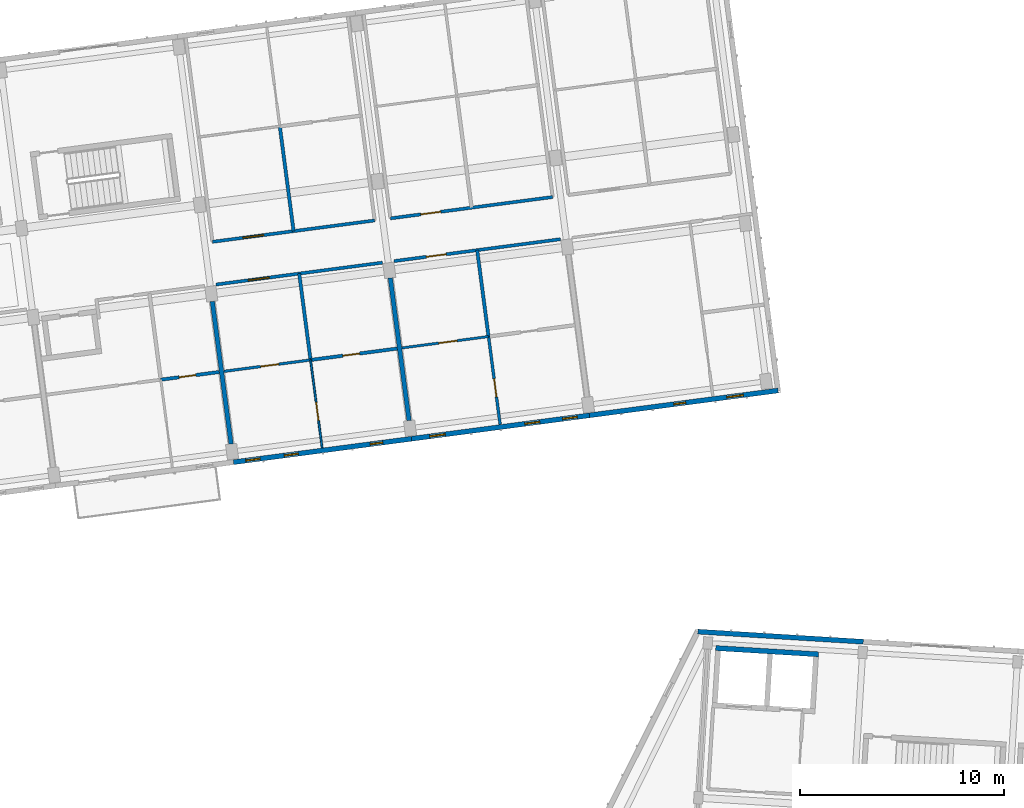
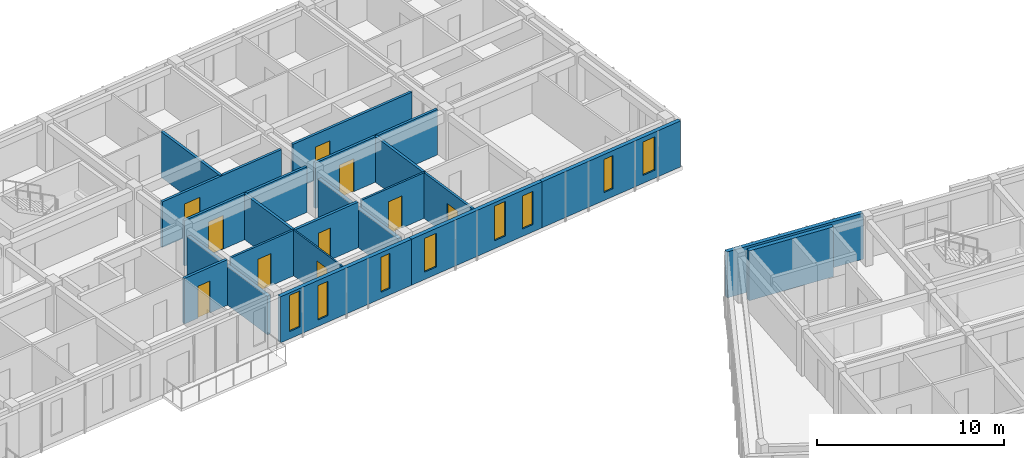
# One storey, part 22 of 65: 20 walls, 10 doors, 8 windows, 18 openings.
"""IFC4 building model written with IfcOpenShell, lengths in metres."""

from ifc_helpers import new_model, si_unit, direction, frame, frame_2d, origin, place, context, subcontext, project, spatial, rectangle, extrude, material, layer, layer_set, type_object, element, fill, save


model = new_model("IFC4")

# Units and contexts
model_context = context("Model", 3, precision=1e-05, world=origin(), true_north=direction((0.0, 1.0)))
body_context = subcontext(model_context, "Body", "Model", "MODEL_VIEW")
ifc_project = project(units=[si_unit("LENGTHUNIT", "METRE"), si_unit("AREAUNIT", "SQUARE_METRE"), si_unit("VOLUMEUNIT", "CUBIC_METRE"), si_unit("PLANEANGLEUNIT", "RADIAN"), si_unit("MASSUNIT", "GRAM", prefix="KILO")], contexts=[model_context])

# Site, building, storey
site_placement = place(None, origin())
site = spatial("IfcSite", under=ifc_project, at=site_placement, CompositionType="ELEMENT")
building_placement = place(site_placement, origin())
building = spatial("IfcBuilding", under=site, at=building_placement, Name="Kestramere Prow Commons", CompositionType="ELEMENT")
storey_placement = place(building_placement, frame((0.0, 0.0, 21.39990234375)))
storey = spatial("IfcBuildingStorey", under=building, at=storey_placement, Name="L06", CompositionType="ELEMENT", Elevation=21.39990234375)

# Wall, openings, windows
ifc_material_1 = material(Name="Fluoropolymer Standing-Seam Zinc-Aluminium Cladding", Category="aluminium")
ifc_layer_1 = layer(ifc_material_1, 0.239990234375)
ifc_layer_set_1 = layer_set([ifc_layer_1], Name="Fluoropolymer Standing-Seam Zinc-Aluminium Cladding")
wall_type_1 = type_object("IfcWallType", Name="EW-SEAM-240", PredefinedType="SOLIDWALL", material=ifc_layer_set_1)
wall_1_placement = place(storey_placement, frame((46.16748046875, 76.073974609375, 0.0), z_axis=(0.0, 0.0, 1.0), x_axis=(-0.991444377792, -0.130529865336, 0.0)))
wall_1 = element("IfcWall", 1, at=wall_1_placement, inside=storey, type_object=wall_type_1, Name="Block A L06 South Standing-Seam Wall 4", PredefinedType="SOLIDWALL", context=body_context, shape_type="SweptSolid", body=[
    extrude(rectangle(XDim=8.800048828125, YDim=0.239990234375, at=frame_2d((4.39990234375, 0.0))), origin(), (0.0, 0.0, 1.0), 3.0),
])
opening_1_placement = place(wall_1_placement, frame((1.426025390625, 0.0, 0.419921875)))
opening_1 = element("IfcOpeningElement", 2, at=opening_1_placement, cuts=wall_1, Name="Opening WN-03", PredefinedType="OPENING", context=body_context, shape_type="SweptSolid", body=[
    extrude(rectangle(XDim=0.6201171875, YDim=2.280029296875, at=frame_2d((0.31005859375, 1.14013671875))), frame((0.0, 0.135009765625, 0.0), z_axis=(0.0, -1.0, 0.0), x_axis=(1.0, 0.0, 0.0)), (0.0, 0.0, 1.0), 0.27001953125),
])
opening_2_placement = place(wall_1_placement, frame((5.60400390625, 0.0, 0.419921875)))
opening_2 = element("IfcOpeningElement", 3, at=opening_2_placement, cuts=wall_1, Name="Opening WN-06", PredefinedType="OPENING", context=body_context, shape_type="SweptSolid", body=[
    extrude(rectangle(XDim=0.679931640625, YDim=2.239990234375, at=frame_2d((0.33984375, 1.1201171875))), frame((0.0, 0.135009765625, 0.0), z_axis=(0.0, -1.0, 0.0), x_axis=(1.0, 0.0, 0.0)), (0.0, 0.0, 1.0), 0.27001953125),
])
opening_3_placement = place(wall_1_placement, frame((7.489990234375, 0.0, 0.47998046875)))
opening_3 = element("IfcOpeningElement", 4, at=opening_3_placement, cuts=wall_1, Name="Opening WN-07", PredefinedType="OPENING", context=body_context, shape_type="SweptSolid", body=[
    extrude(rectangle(XDim=0.699951171875, YDim=2.360107421875, at=frame_2d((0.35009765625, 1.18017578125))), frame((0.0, 0.135009765625, 0.0), z_axis=(0.0, -1.0, 0.0), x_axis=(1.0, 0.0, 0.0)), (0.0, 0.0, 1.0), 0.27001953125),
])
ifc_material_2 = material(Name="Low-E Laminated Double Glazing", Category="glass")
window_type_1 = type_object("IfcWindowType", Name="WN-NAR-620A", PartitioningType="SINGLE_PANEL", PredefinedType="WINDOW", material=ifc_material_2)
window_1_placement = place(opening_1_placement, origin())
window_1 = element("IfcWindow", 5, at=window_1_placement, inside=storey, type_object=window_type_1, Name="WN-A-L06-S-3-00", OverallHeight=2.280029296875, OverallWidth=0.6201171875, PartitioningType="SINGLE_PANEL", PredefinedType="WINDOW", context=body_context, shape_type="SweptSolid", body=[
    extrude(rectangle(XDim=0.6201171875, YDim=2.280029296875, at=frame_2d((0.31005859375, 1.14013671875))), frame((0.0, 0.030029296875, 0.0), z_axis=(0.0, -1.0, 0.0), x_axis=(1.0, 0.0, 0.0)), (0.0, 0.0, 1.0), 0.06005859375),
])
fill(opening_1, window_1)
window_type_2 = type_object("IfcWindowType", Name="WN-NAR-680A", PartitioningType="SINGLE_PANEL", PredefinedType="WINDOW", material=ifc_material_2)
window_2_placement = place(opening_2_placement, origin())
window_2 = element("IfcWindow", 6, at=window_2_placement, inside=storey, type_object=window_type_2, Name="WN-A-L06-S-3-10", OverallHeight=2.239990234375, OverallWidth=0.679931640625, PartitioningType="SINGLE_PANEL", PredefinedType="WINDOW", context=body_context, shape_type="SweptSolid", body=[
    extrude(rectangle(XDim=0.679931640625, YDim=2.239990234375, at=frame_2d((0.33984375, 1.1201171875))), frame((0.0, 0.030029296875, 0.0), z_axis=(0.0, -1.0, 0.0), x_axis=(1.0, 0.0, 0.0)), (0.0, 0.0, 1.0), 0.06005859375),
])
fill(opening_2, window_2)
window_type_3 = type_object("IfcWindowType", Name="WN-NAR-700A", PartitioningType="SINGLE_PANEL", PredefinedType="WINDOW", material=ifc_material_2)
window_3_placement = place(opening_3_placement, origin())
window_3 = element("IfcWindow", 7, at=window_3_placement, inside=storey, type_object=window_type_3, Name="WN-A-L06-S-3-11", OverallHeight=2.360107421875, OverallWidth=0.699951171875, PartitioningType="SINGLE_PANEL", PredefinedType="WINDOW", context=body_context, shape_type="SweptSolid", body=[
    extrude(rectangle(XDim=0.699951171875, YDim=2.360107421875, at=frame_2d((0.35009765625, 1.18017578125))), frame((0.0, 0.030029296875, 0.0), z_axis=(0.0, -1.0, 0.0), x_axis=(1.0, 0.0, 0.0)), (0.0, 0.0, 1.0), 0.06005859375),
])
fill(opening_3, window_3)

wall_2_placement = place(storey_placement, frame((54.89208984375, 77.22265625, 0.0), z_axis=(0.0, 0.0, 1.0), x_axis=(-0.991443905089, -0.130533455715, 0.0)))
wall_2 = element("IfcWall", 8, at=wall_2_placement, inside=storey, type_object=wall_type_1, Name="Block A L06 South Standing-Seam Wall 5", PredefinedType="SOLIDWALL", context=body_context, shape_type="SweptSolid", body=[
    extrude(rectangle(XDim=8.7998046875, YDim=0.239990234375, at=frame_2d((4.39990234375, 0.0))), origin(), (0.0, 0.0, 1.0), 3.0),
])
opening_4_placement = place(wall_2_placement, frame((0.610107421875, 0.0, 0.47998046875)))
opening_4 = element("IfcOpeningElement", 9, at=opening_4_placement, cuts=wall_2, Name="Opening WN-08", PredefinedType="OPENING", context=body_context, shape_type="SweptSolid", body=[
    extrude(rectangle(XDim=0.719970703125, YDim=2.159912109375, at=frame_2d((0.35986328125, 1.080078125))), frame((0.0, 0.135009765625, 0.0), z_axis=(0.0, -1.0, 0.0), x_axis=(1.0, 0.0, 0.0)), (0.0, 0.0, 1.0), 0.27001953125),
])
opening_5_placement = place(wall_2_placement, frame((2.4560546875, 0.0, 0.52001953125)))
opening_5 = element("IfcOpeningElement", 10, at=opening_5_placement, cuts=wall_2, Name="Opening WN-09", PredefinedType="OPENING", context=body_context, shape_type="SweptSolid", body=[
    extrude(rectangle(XDim=0.739990234375, YDim=2.260009765625, at=frame_2d((0.3701171875, 1.1298828125))), frame((0.0, 0.135009765625, 0.0), z_axis=(0.0, -1.0, 0.0), x_axis=(1.0, 0.0, 0.0)), (0.0, 0.0, 1.0), 0.27001953125),
])
opening_6_placement = place(wall_2_placement, frame((7.123291015625, 0.0, 0.47998046875)))
opening_6 = element("IfcOpeningElement", 11, at=opening_6_placement, cuts=wall_2, Name="Opening WN-11", PredefinedType="OPENING", context=body_context, shape_type="SweptSolid", body=[
    extrude(rectangle(XDim=0.780029296875, YDim=2.199951171875, at=frame_2d((0.39013671875, 1.10009765625))), frame((0.0, 0.135009765625, 0.0), z_axis=(0.0, -1.0, 0.0), x_axis=(1.0, 0.0, 0.0)), (0.0, 0.0, 1.0), 0.27001953125),
])
window_type_4 = type_object("IfcWindowType", Name="WN-NAR-720A", PartitioningType="SINGLE_PANEL", PredefinedType="WINDOW", material=ifc_material_2)
window_4_placement = place(opening_4_placement, origin())
window_4 = element("IfcWindow", 12, at=window_4_placement, inside=storey, type_object=window_type_4, Name="WN-A-L06-S-4-00", OverallHeight=2.159912109375, OverallWidth=0.719970703125, PartitioningType="SINGLE_PANEL", PredefinedType="WINDOW", context=body_context, shape_type="SweptSolid", body=[
    extrude(rectangle(XDim=0.719970703125, YDim=2.159912109375, at=frame_2d((0.35986328125, 1.080078125))), frame((0.0, 0.030029296875, 0.0), z_axis=(0.0, -1.0, 0.0), x_axis=(1.0, 0.0, 0.0)), (0.0, 0.0, 1.0), 0.06005859375),
])
fill(opening_4, window_4)
window_type_5 = type_object("IfcWindowType", Name="WN-NAR-740A", PartitioningType="SINGLE_PANEL", PredefinedType="WINDOW", material=ifc_material_2)
window_5_placement = place(opening_5_placement, origin())
window_5 = element("IfcWindow", 13, at=window_5_placement, inside=storey, type_object=window_type_5, Name="WN-A-L06-S-4-01", OverallHeight=2.260009765625, OverallWidth=0.739990234375, PartitioningType="SINGLE_PANEL", PredefinedType="WINDOW", context=body_context, shape_type="SweptSolid", body=[
    extrude(rectangle(XDim=0.739990234375, YDim=2.260009765625, at=frame_2d((0.3701171875, 1.1298828125))), frame((0.0, 0.030029296875, 0.0), z_axis=(0.0, -1.0, 0.0), x_axis=(1.0, 0.0, 0.0)), (0.0, 0.0, 1.0), 0.06005859375),
])
fill(opening_5, window_5)
window_type_6 = type_object("IfcWindowType", Name="WN-NAR-780A", PartitioningType="SINGLE_PANEL", PredefinedType="WINDOW", material=ifc_material_2)
window_6_placement = place(opening_6_placement, origin())
window_6 = element("IfcWindow", 14, at=window_6_placement, inside=storey, type_object=window_type_6, Name="WN-A-L06-S-4-10", OverallHeight=2.199951171875, OverallWidth=0.780029296875, PartitioningType="SINGLE_PANEL", PredefinedType="WINDOW", context=body_context, shape_type="SweptSolid", body=[
    extrude(rectangle(XDim=0.780029296875, YDim=2.199951171875, at=frame_2d((0.39013671875, 1.10009765625))), frame((0.0, 0.030029296875, 0.0), z_axis=(0.0, -1.0, 0.0), x_axis=(1.0, 0.0, 0.0)), (0.0, 0.0, 1.0), 0.06005859375),
])
fill(opening_6, window_6)

wall_3_placement = place(storey_placement, frame((64.13720703125, 78.439697265625, 0.0), z_axis=(0.0, 0.0, 1.0), x_axis=(-0.991446273426, -0.130515466173, 0.0)))
wall_3 = element("IfcWall", 15, at=wall_3_placement, inside=storey, type_object=wall_type_1, Name="Block A L06 South Standing-Seam Wall 6", PredefinedType="SOLIDWALL", context=body_context, shape_type="SweptSolid", body=[
    extrude(rectangle(XDim=9.324951171875, YDim=0.239990234375, at=frame_2d((4.66259765625, 0.0))), origin(), (0.0, 0.0, 1.0), 3.0),
])
opening_7_placement = place(wall_3_placement, frame((1.714599609375, 0.0, 0.52001953125)))
opening_7 = element("IfcOpeningElement", 16, at=opening_7_placement, cuts=wall_3, Name="Opening WN-13", PredefinedType="OPENING", context=body_context, shape_type="SweptSolid", body=[
    extrude(rectangle(XDim=0.820068359375, YDim=2.179931640625, at=frame_2d((0.41015625, 1.08984375))), frame((0.0, 0.135009765625, 0.0), z_axis=(0.0, -1.0, 0.0), x_axis=(1.0, 0.0, 0.0)), (0.0, 0.0, 1.0), 0.27001953125),
])
opening_8_placement = place(wall_3_placement, frame((4.570556640625, 0.0, 0.52001953125)))
opening_8 = element("IfcOpeningElement", 17, at=opening_8_placement, cuts=wall_3, Name="Opening WN-01", PredefinedType="OPENING", context=body_context, shape_type="SweptSolid", body=[
    extrude(rectangle(XDim=0.580078125, YDim=2.159912109375, at=frame_2d((0.2900390625, 1.080078125))), frame((0.0, 0.135009765625, 0.0), z_axis=(0.0, -1.0, 0.0), x_axis=(1.0, 0.0, 0.0)), (0.0, 0.0, 1.0), 0.27001953125),
])
window_type_7 = type_object("IfcWindowType", Name="WN-NAR-580A", PartitioningType="SINGLE_PANEL", PredefinedType="WINDOW", material=ifc_material_2)
window_7_placement = place(opening_8_placement, origin())
window_7 = element("IfcWindow", 18, at=window_7_placement, inside=storey, type_object=window_type_7, Name="WN-A-L06-S-5-10", OverallHeight=2.159912109375, OverallWidth=0.580078125, PartitioningType="SINGLE_PANEL", PredefinedType="WINDOW", context=body_context, shape_type="SweptSolid", body=[
    extrude(rectangle(XDim=0.580078125, YDim=2.159912109375, at=frame_2d((0.2900390625, 1.080078125))), frame((0.0, 0.030029296875, 0.0), z_axis=(0.0, -1.0, 0.0), x_axis=(1.0, 0.0, 0.0)), (0.0, 0.0, 1.0), 0.06005859375),
])
fill(opening_8, window_7)
window_type_8 = type_object("IfcWindowType", Name="WN-NAR-820A", PartitioningType="DOUBLE_PANEL_VERTICAL", PredefinedType="WINDOW", material=ifc_material_2)
window_8_placement = place(opening_7_placement, origin())
window_8 = element("IfcWindow", 19, at=window_8_placement, inside=storey, type_object=window_type_8, Name="WN-A-L06-S-5-00", OverallHeight=2.179931640625, OverallWidth=0.820068359375, PartitioningType="SINGLE_PANEL", PredefinedType="WINDOW", context=body_context, shape_type="SweptSolid", body=[
    extrude(rectangle(XDim=0.820068359375, YDim=2.179931640625, at=frame_2d((0.41015625, 1.08984375))), frame((0.0, 0.030029296875, 0.0), z_axis=(0.0, -1.0, 0.0), x_axis=(1.0, 0.0, 0.0)), (0.0, 0.0, 1.0), 0.06005859375),
])
fill(opening_7, window_8)

# Walls
wall_4_placement = place(storey_placement, frame((60.20458984375, 66.61962890625, 0.0), z_axis=(0.0, 0.0, 1.0), x_axis=(0.998134248939, -0.061057522844, 0.0)))
element("IfcWall", 20, at=wall_4_placement, inside=storey, type_object=wall_type_1, Name="Block C L06 North Standing-Seam Wall 1", PredefinedType="SOLIDWALL", context=body_context, shape_type="SweptSolid", body=[
    extrude(rectangle(XDim=8.125, YDim=0.239990234375, at=frame_2d((4.0625, 0.0))), origin(), (0.0, 0.0, 1.0), 3.0),
])
ifc_material_3 = material(Name="Concrete C40/50", Category="concrete")
ifc_layer_2 = layer(ifc_material_3, 0.25)
ifc_layer_set_2 = layer_set([ifc_layer_2], Name="Concrete C40/50")
wall_type_2 = type_object("IfcWallType", Name="W-CORE-250", PredefinedType="SHEAR", material=ifc_layer_set_2)
wall_5_placement = place(storey_placement, frame((61.08203125, 65.814453125, 0.0), z_axis=(0.0, 0.0, 1.0), x_axis=(0.998134101522, -0.061059932685, 0.0)))
element("IfcWall", 21, at=wall_5_placement, inside=storey, type_object=wall_type_2, Name="Block C L06 Lift Core Back Wall", PredefinedType="SHEAR", context=body_context, shape_type="SweptSolid", body=[
    extrude(rectangle(XDim=5.050048828125, YDim=0.25, at=frame_2d((2.52490234375, 0.0))), origin(), (0.0, 0.0, 1.0), 3.25),
])

# Wall, opening, door
ifc_material_4 = material(Name="Fire-Rated Calcium Silicate Wall")
ifc_layer_3 = layer(ifc_material_4, 0.155029296875)
ifc_layer_set_3 = layer_set([ifc_layer_3], Name="Fire-Rated Calcium Silicate Wall")
wall_type_3 = type_object("IfcWallType", Name="W-FIRE-150", PredefinedType="PARTITIONING", material=ifc_layer_set_3)
wall_6_placement = place(storey_placement, frame((36.583740234375, 83.6328125, 0.0), z_axis=(0.0, 0.0, 1.0), x_axis=(0.991445206002, 0.130523574484, 0.0)))
wall_6 = element("IfcWall", 22, at=wall_6_placement, inside=storey, type_object=wall_type_3, Name="Interior Partition PW-A-L06-CS-3", PredefinedType="PARTITIONING", context=body_context, shape_type="SweptSolid", body=[
    extrude(rectangle(XDim=8.22998046875, YDim=0.155029296875, at=frame_2d((4.114990234375, 0.0))), origin(), (0.0, 0.0, 1.0), 2.97021484375),
])
opening_9_placement = place(wall_6_placement, frame((1.60498046875, 0.0, 0.0)))
opening_9 = element("IfcOpeningElement", 23, at=opening_9_placement, cuts=wall_6, Name="Opening ID-05", PredefinedType="OPENING", context=body_context, shape_type="SweptSolid", body=[
    extrude(rectangle(XDim=1.02001953125, YDim=2.199951171875, at=frame_2d((0.510009765625, 1.10009765625))), frame((0.0, 0.092529296875, 0.0), z_axis=(0.0, -1.0, 0.0), x_axis=(1.0, 0.0, 0.0)), (0.0, 0.0, 1.0), 0.18505859375),
])
ifc_material_5 = material(Name="Hardwood Fire-Rated Flat Entrance Door", Category="wood")
door_type_1 = type_object("IfcDoorType", Name="FD-ENT-02", OperationType="NOTDEFINED", PredefinedType="DOOR", material=ifc_material_5)
door_1_placement = place(opening_9_placement, origin())
door_1 = element("IfcDoor", 24, at=door_1_placement, inside=storey, type_object=door_type_1, Name="Interior Door DR-A-L06-ENT-S3", OperationType="SINGLE_SWING_RIGHT", OverallHeight=2.199951171875, OverallWidth=1.02001953125, PredefinedType="DOOR", context=body_context, shape_type="SweptSolid", body=[
    extrude(rectangle(XDim=1.02001953125, YDim=2.199951171875, at=frame_2d((0.510009765625, 1.10009765625))), frame((0.0, 0.02490234375, 0.0), z_axis=(0.0, -1.0, 0.0), x_axis=(1.0, 0.0, 0.0)), (0.0, 0.0, 1.0), 0.050048828125),
])
fill(opening_9, door_1)

wall_7_placement = place(storey_placement, frame((45.30859375, 84.781494140625, 0.0), z_axis=(0.0, 0.0, 1.0), x_axis=(0.991444700604, 0.130527413383, 0.0)))
wall_7 = element("IfcWall", 25, at=wall_7_placement, inside=storey, type_object=wall_type_3, Name="Interior Partition PW-A-L06-CS-4", PredefinedType="PARTITIONING", context=body_context, shape_type="SweptSolid", body=[
    extrude(rectangle(XDim=8.229736328125, YDim=0.155029296875, at=frame_2d((4.11474609375, 0.0))), origin(), (0.0, 0.0, 1.0), 2.97021484375),
])
opening_10_placement = place(wall_7_placement, frame((1.60498046875, 0.0, 0.0)))
opening_10 = element("IfcOpeningElement", 26, at=opening_10_placement, cuts=wall_7, Name="Opening ID-04", PredefinedType="OPENING", context=body_context, shape_type="SweptSolid", body=[
    extrude(rectangle(XDim=0.97998046875, YDim=2.14990234375, at=frame_2d((0.489990234375, 1.074951171875))), frame((0.0, 0.092529296875, 0.0), z_axis=(0.0, -1.0, 0.0), x_axis=(1.0, 0.0, 0.0)), (0.0, 0.0, 1.0), 0.18505859375),
])
door_type_2 = type_object("IfcDoorType", Name="FD-ENT-01", OperationType="NOTDEFINED", PredefinedType="DOOR", material=ifc_material_5)
door_2_placement = place(opening_10_placement, origin())
door_2 = element("IfcDoor", 27, at=door_2_placement, inside=storey, type_object=door_type_2, Name="Interior Door DR-A-L06-ENT-S4", OperationType="SINGLE_SWING_LEFT", OverallHeight=2.14990234375, OverallWidth=0.97998046875, PredefinedType="DOOR", context=body_context, shape_type="SweptSolid", body=[
    extrude(rectangle(XDim=0.97998046875, YDim=2.14990234375, at=frame_2d((0.489990234375, 1.074951171875))), frame((0.0, 0.02490234375, 0.0), z_axis=(0.0, -1.0, 0.0), x_axis=(1.0, 0.0, 0.0)), (0.0, 0.0, 1.0), 0.050048828125),
])
fill(opening_10, door_2)

wall_8_placement = place(storey_placement, frame((36.413818359375, 85.728515625, 0.0), z_axis=(0.0, 0.0, 1.0), x_axis=(0.991444034844, 0.130532470184, 0.0)))
wall_8 = element("IfcWall", 28, at=wall_8_placement, inside=storey, type_object=wall_type_3, Name="Interior Partition PW-A-L06-CN-3", PredefinedType="PARTITIONING", context=body_context, shape_type="SweptSolid", body=[
    extrude(rectangle(XDim=8.02001953125, YDim=0.155029296875, at=frame_2d((4.010009765625, 0.0))), origin(), (0.0, 0.0, 1.0), 2.97021484375),
])
opening_11_placement = place(wall_8_placement, frame((1.5048828125, 0.0, 0.0)))
opening_11 = element("IfcOpeningElement", 29, at=opening_11_placement, cuts=wall_8, Name="Opening ID-05", PredefinedType="OPENING", context=body_context, shape_type="SweptSolid", body=[
    extrude(rectangle(XDim=1.02001953125, YDim=2.199951171875, at=frame_2d((0.510009765625, 1.10009765625))), frame((0.0, 0.092529296875, 0.0), z_axis=(0.0, -1.0, 0.0), x_axis=(1.0, 0.0, 0.0)), (0.0, 0.0, 1.0), 0.18505859375),
])
door_3_placement = place(opening_11_placement, origin())
door_3 = element("IfcDoor", 30, at=door_3_placement, inside=storey, type_object=door_type_1, Name="Interior Door DR-A-L06-ENT-N3", OperationType="SINGLE_SWING_RIGHT", OverallHeight=2.199951171875, OverallWidth=1.02001953125, PredefinedType="DOOR", context=body_context, shape_type="SweptSolid", body=[
    extrude(rectangle(XDim=1.02001953125, YDim=2.199951171875, at=frame_2d((0.510009765625, 1.10009765625))), frame((0.0, 0.02490234375, 0.0), z_axis=(0.0, -1.0, 0.0), x_axis=(1.0, 0.0, 0.0)), (0.0, 0.0, 1.0), 0.050048828125),
])
fill(opening_11, door_3)

wall_9_placement = place(storey_placement, frame((45.138427734375, 86.877197265625, 0.0), z_axis=(0.0, 0.0, 1.0), x_axis=(0.991444034844, 0.130532470184, 0.0)))
wall_9 = element("IfcWall", 31, at=wall_9_placement, inside=storey, type_object=wall_type_3, Name="Interior Partition PW-A-L06-CN-4", PredefinedType="PARTITIONING", context=body_context, shape_type="SweptSolid", body=[
    extrude(rectangle(XDim=8.02001953125, YDim=0.155029296875, at=frame_2d((4.010009765625, 0.0))), origin(), (0.0, 0.0, 1.0), 2.97021484375),
])
opening_12_placement = place(wall_9_placement, frame((1.5048828125, 0.0, 0.0)))
opening_12 = element("IfcOpeningElement", 32, at=opening_12_placement, cuts=wall_9, Name="Opening ID-04", PredefinedType="OPENING", context=body_context, shape_type="SweptSolid", body=[
    extrude(rectangle(XDim=0.97998046875, YDim=2.14990234375, at=frame_2d((0.489990234375, 1.074951171875))), frame((0.0, 0.092529296875, 0.0), z_axis=(0.0, -1.0, 0.0), x_axis=(1.0, 0.0, 0.0)), (0.0, 0.0, 1.0), 0.18505859375),
])
door_4_placement = place(opening_12_placement, origin())
door_4 = element("IfcDoor", 33, at=door_4_placement, inside=storey, type_object=door_type_2, Name="Interior Door DR-A-L06-ENT-N4", OperationType="SINGLE_SWING_LEFT", OverallHeight=2.14990234375, OverallWidth=0.97998046875, PredefinedType="DOOR", context=body_context, shape_type="SweptSolid", body=[
    extrude(rectangle(XDim=0.97998046875, YDim=2.14990234375, at=frame_2d((0.489990234375, 1.074951171875))), frame((0.0, 0.02490234375, 0.0), z_axis=(0.0, -1.0, 0.0), x_axis=(1.0, 0.0, 0.0)), (0.0, 0.0, 1.0), 0.050048828125),
])
fill(opening_12, door_4)

ifc_material_6 = material(Name="Lightweight Blockwork and Plaster", Category="masonry")
ifc_layer_4 = layer(ifc_material_6, 0.1201171875)
ifc_layer_set_4 = layer_set([ifc_layer_4], Name="Lightweight Blockwork and Plaster")
wall_type_4 = type_object("IfcWallType", Name="W-PART-120", PredefinedType="PARTITIONING", material=ifc_layer_set_4)
wall_10_placement = place(storey_placement, frame((45.697265625, 80.525634765625, 0.0), z_axis=(0.0, 0.0, 1.0), x_axis=(0.991444014242, 0.130532626667, 0.0)))
wall_10 = element("IfcWall", 34, at=wall_10_placement, inside=storey, type_object=wall_type_4, Name="Interior Partition PW-A-L06-MIDS1-4", PredefinedType="PARTITIONING", context=body_context, shape_type="SweptSolid", body=[
    extrude(rectangle(XDim=4.284912109375, YDim=0.1201171875, at=frame_2d((2.142578125, 0.0))), origin(), (0.0, 0.0, 1.0), 2.97021484375),
])
opening_13_placement = place(wall_10_placement, frame((1.824951171875, 0.0, 0.0)))
opening_13 = element("IfcOpeningElement", 35, at=opening_13_placement, cuts=wall_10, Name="Opening ID-08", PredefinedType="OPENING", context=body_context, shape_type="SweptSolid", body=[
    extrude(rectangle(XDim=0.89990234375, YDim=2.10009765625, at=frame_2d((0.449951171875, 1.050048828125))), frame((0.0, 0.074951171875, 0.0), z_axis=(0.0, -1.0, 0.0), x_axis=(1.0, 0.0, 0.0)), (0.0, 0.0, 1.0), 0.150146484375),
])
ifc_material_7 = material(Name="Engineered Timber Flush Door", Category="wood")
door_type_3 = type_object("IfcDoorType", Name="D-RM-01", OperationType="NOTDEFINED", PredefinedType="DOOR", material=ifc_material_7)
door_5_placement = place(opening_13_placement, origin())
door_5 = element("IfcDoor", 36, at=door_5_placement, inside=storey, type_object=door_type_3, Name="Interior Door DR-A-L06-KL-S4", OperationType="SINGLE_SWING_RIGHT", OverallHeight=2.10009765625, OverallWidth=0.89990234375, PredefinedType="DOOR", context=body_context, shape_type="SweptSolid", body=[
    extrude(rectangle(XDim=0.89990234375, YDim=2.10009765625, at=frame_2d((0.449951171875, 1.050048828125))), frame((0.0, 0.02490234375, 0.0), z_axis=(0.0, -1.0, 0.0), x_axis=(1.0, 0.0, 0.0)), (0.0, 0.0, 1.0), 0.050048828125),
])
fill(opening_13, door_5)

ifc_layer_5 = layer(ifc_material_6, 0.1298828125)
ifc_layer_set_5 = layer_set([ifc_layer_5], Name="Lightweight Blockwork and Plaster")
wall_type_5 = type_object("IfcWallType", Name="W-PART-130", PredefinedType="PARTITIONING", material=ifc_layer_set_5)
wall_11_placement = place(storey_placement, frame((36.97265625, 79.377197265625, 0.0), z_axis=(0.0, 0.0, 1.0), x_axis=(0.991444014242, 0.130532626667, 0.0)))
wall_11 = element("IfcWall", 37, at=wall_11_placement, inside=storey, type_object=wall_type_5, Name="Interior Partition PW-A-L06-MIDS1-3", PredefinedType="PARTITIONING", context=body_context, shape_type="SweptSolid", body=[
    extrude(rectangle(XDim=4.284912109375, YDim=0.1298828125, at=frame_2d((2.142578125, 0.0))), origin(), (0.0, 0.0, 1.0), 2.97021484375),
])
opening_14_placement = place(wall_11_placement, frame((1.824951171875, 0.0, 0.0)))
opening_14 = element("IfcOpeningElement", 38, at=opening_14_placement, cuts=wall_11, Name="Opening ID-10", PredefinedType="OPENING", context=body_context, shape_type="SweptSolid", body=[
    extrude(rectangle(XDim=0.8798828125, YDim=2.10009765625, at=frame_2d((0.43994140625, 1.050048828125))), frame((0.0, 0.079833984375, 0.0), z_axis=(0.0, -1.0, 0.0), x_axis=(1.0, 0.0, 0.0)), (0.0, 0.0, 1.0), 0.159912109375),
])
ifc_material_8 = material(Name="Engineered Timber Bedroom Door", Category="wood")
door_type_4 = type_object("IfcDoorType", Name="D-RM-03", OperationType="NOTDEFINED", PredefinedType="DOOR", material=ifc_material_8)
door_6_placement = place(opening_14_placement, origin())
door_6 = element("IfcDoor", 39, at=door_6_placement, inside=storey, type_object=door_type_4, Name="Interior Door DR-A-L06-KL-S3", OperationType="SINGLE_SWING_RIGHT", OverallHeight=2.10009765625, OverallWidth=0.8798828125, PredefinedType="DOOR", context=body_context, shape_type="SweptSolid", body=[
    extrude(rectangle(XDim=0.8798828125, YDim=2.10009765625, at=frame_2d((0.43994140625, 1.050048828125))), frame((0.0, 0.02490234375, 0.0), z_axis=(0.0, -1.0, 0.0), x_axis=(1.0, 0.0, 0.0)), (0.0, 0.0, 1.0), 0.050048828125),
])
fill(opening_14, door_6)

ifc_material_9 = material(Name="Masonry Compartment Wall", Category="masonry")
ifc_layer_6 = layer(ifc_material_9, 0.139892578125)
ifc_layer_set_6 = layer_set([ifc_layer_6], Name="Masonry Compartment Wall")
wall_type_6 = type_object("IfcWallType", Name="W-PART-140", PredefinedType="PARTITIONING", material=ifc_layer_set_6)
wall_12_placement = place(storey_placement, frame((50.51220703125, 76.7822265625, 0.0), z_axis=(0.0, 0.0, 1.0), x_axis=(-0.130568017521, 0.991439354071, 0.0)))
wall_12 = element("IfcWall", 40, at=wall_12_placement, inside=storey, type_object=wall_type_6, Name="Interior Partition PW-A-L06-LB-S4", PredefinedType="PARTITIONING", context=body_context, shape_type="SweptSolid", body=[
    extrude(rectangle(XDim=4.33984375, YDim=0.139892578125, at=frame_2d((2.169921875, 0.0))), origin(), (0.0, 0.0, 1.0), 2.97021484375),
])
opening_15_placement = place(wall_12_placement, frame((1.35009765625, 0.0, 0.0)))
opening_15 = element("IfcOpeningElement", 41, at=opening_15_placement, cuts=wall_12, Name="Opening ID-08", PredefinedType="OPENING", context=body_context, shape_type="SweptSolid", body=[
    extrude(rectangle(XDim=0.89990234375, YDim=2.10009765625, at=frame_2d((0.449951171875, 1.050048828125))), frame((0.0, 0.0849609375, 0.0), z_axis=(0.0, -1.0, 0.0), x_axis=(1.0, 0.0, 0.0)), (0.0, 0.0, 1.0), 0.169921875),
])
door_7_placement = place(opening_15_placement, origin())
door_7 = element("IfcDoor", 42, at=door_7_placement, inside=storey, type_object=door_type_3, Name="Interior Door DR-A-L06-BED-S4", OperationType="SINGLE_SWING_LEFT", OverallHeight=2.10009765625, OverallWidth=0.89990234375, PredefinedType="DOOR", context=body_context, shape_type="SweptSolid", body=[
    extrude(rectangle(XDim=0.89990234375, YDim=2.10009765625, at=frame_2d((0.449951171875, 1.050048828125))), frame((0.0, 0.02490234375, 0.0), z_axis=(0.0, -1.0, 0.0), x_axis=(1.0, 0.0, 0.0)), (0.0, 0.0, 1.0), 0.050048828125),
])
fill(opening_15, door_7)

ifc_material_10 = material(Name="Gypsum Acoustic Drywall")
ifc_layer_7 = layer(ifc_material_10, 0.094970703125)
ifc_layer_set_7 = layer_set([ifc_layer_7], Name="Gypsum Acoustic Drywall")
wall_type_7 = type_object("IfcWallType", Name="W-PART-95", PredefinedType="PARTITIONING", material=ifc_layer_set_7)
wall_13_placement = place(storey_placement, frame((41.787353515625, 75.633544921875, 0.0), z_axis=(0.0, 0.0, 1.0), x_axis=(-0.130505442025, 0.991447592968, 0.0)))
wall_13 = element("IfcWall", 43, at=wall_13_placement, inside=storey, type_object=wall_type_7, Name="Interior Partition PW-A-L06-LB-S3", PredefinedType="PARTITIONING", context=body_context, shape_type="SweptSolid", body=[
    extrude(rectangle(XDim=4.340087890625, YDim=0.094970703125, at=frame_2d((2.169921875, 0.0))), origin(), (0.0, 0.0, 1.0), 2.97021484375),
])
opening_16_placement = place(wall_13_placement, frame((1.35009765625, 0.0, 0.0)))
opening_16 = element("IfcOpeningElement", 44, at=opening_16_placement, cuts=wall_13, Name="Opening ID-08", PredefinedType="OPENING", context=body_context, shape_type="SweptSolid", body=[
    extrude(rectangle(XDim=0.89990234375, YDim=2.10009765625, at=frame_2d((0.449951171875, 1.050048828125))), frame((0.0, 0.0625, 0.0), z_axis=(0.0, -1.0, 0.0), x_axis=(1.0, 0.0, 0.0)), (0.0, 0.0, 1.0), 0.125),
])
door_8_placement = place(opening_16_placement, origin())
door_8 = element("IfcDoor", 45, at=door_8_placement, inside=storey, type_object=door_type_3, Name="Interior Door DR-A-L06-BED-S3", OperationType="SINGLE_SWING_RIGHT", OverallHeight=2.10009765625, OverallWidth=0.89990234375, PredefinedType="DOOR", context=body_context, shape_type="SweptSolid", body=[
    extrude(rectangle(XDim=0.89990234375, YDim=2.10009765625, at=frame_2d((0.449951171875, 1.050048828125))), frame((0.0, 0.02490234375, 0.0), z_axis=(0.0, -1.0, 0.0), x_axis=(1.0, 0.0, 0.0)), (0.0, 0.0, 1.0), 0.050048828125),
])
fill(opening_16, door_8)

ifc_material_11 = material(Name="Waterproof Sanitary Masonry Wall", Category="masonry")
ifc_layer_8 = layer(ifc_material_11, 0.1650390625)
ifc_layer_set_8 = layer_set([ifc_layer_8], Name="Waterproof Sanitary Masonry Wall")
wall_type_8 = type_object("IfcWallType", Name="W-PLUMB-150", PredefinedType="PLUMBINGWALL", material=ifc_layer_set_8)
wall_14_placement = place(storey_placement, frame((33.87939453125, 78.969970703125, 0.0), z_axis=(0.0, 0.0, 1.0), x_axis=(0.9914456672, 0.130520071219, 0.0)))
wall_14 = element("IfcWall", 46, at=wall_14_placement, inside=storey, type_object=wall_type_8, Name="Interior Partition PW-A-L06-MIDS2-2", PredefinedType="PLUMBINGWALL", context=body_context, shape_type="SweptSolid", body=[
    extrude(rectangle(XDim=2.889892578125, YDim=0.1650390625, at=frame_2d((1.44482421875, 0.0))), origin(), (0.0, 0.0, 1.0), 2.97021484375),
])
opening_17_placement = place(wall_14_placement, frame((0.903076171875, 0.0, 0.0)))
opening_17 = element("IfcOpeningElement", 47, at=opening_17_placement, cuts=wall_14, Name="Opening ID-11", PredefinedType="OPENING", context=body_context, shape_type="SweptSolid", body=[
    extrude(rectangle(XDim=0.820068359375, YDim=2.080078125, at=frame_2d((0.41015625, 1.0400390625))), frame((0.0, 0.097412109375, 0.0), z_axis=(0.0, -1.0, 0.0), x_axis=(1.0, 0.0, 0.0)), (0.0, 0.0, 1.0), 0.195068359375),
])
ifc_material_12 = material(Name="Moisture-Resistant Timber Bathroom Door", Category="wood")
door_type_5 = type_object("IfcDoorType", Name="D-BT-01", OperationType="NOTDEFINED", PredefinedType="DOOR", material=ifc_material_12)
door_9_placement = place(opening_17_placement, origin())
door_9 = element("IfcDoor", 48, at=door_9_placement, inside=storey, type_object=door_type_5, Name="Interior Door DR-A-L06-BTH-S2", OperationType="SINGLE_SWING_LEFT", OverallHeight=2.080078125, OverallWidth=0.820068359375, PredefinedType="DOOR", context=body_context, shape_type="SweptSolid", body=[
    extrude(rectangle(XDim=0.820068359375, YDim=2.080078125, at=frame_2d((0.41015625, 1.0400390625))), frame((0.0, 0.02490234375, 0.0), z_axis=(0.0, -1.0, 0.0), x_axis=(1.0, 0.0, 0.0)), (0.0, 0.0, 1.0), 0.050048828125),
])
fill(opening_17, door_9)

wall_15_placement = place(storey_placement, frame((41.220947265625, 79.9365234375, 0.0), z_axis=(0.0, 0.0, 1.0), x_axis=(0.991451386343, 0.130476620581, 0.0)))
wall_15 = element("IfcWall", 49, at=wall_15_placement, inside=storey, type_object=wall_type_8, Name="Interior Partition PW-A-L06-MIDS2-3", PredefinedType="PLUMBINGWALL", context=body_context, shape_type="SweptSolid", body=[
    extrude(rectangle(XDim=4.284912109375, YDim=0.1650390625, at=frame_2d((2.142578125, 0.0))), origin(), (0.0, 0.0, 1.0), 2.97021484375),
])
opening_18_placement = place(wall_15_placement, frame((1.60009765625, 0.0, 0.0)))
opening_18 = element("IfcOpeningElement", 50, at=opening_18_placement, cuts=wall_15, Name="Opening ID-11", PredefinedType="OPENING", context=body_context, shape_type="SweptSolid", body=[
    extrude(rectangle(XDim=0.820068359375, YDim=2.080078125, at=frame_2d((0.41015625, 1.0400390625))), frame((0.0, 0.097412109375, 0.0), z_axis=(0.0, -1.0, 0.0), x_axis=(1.0, 0.0, 0.0)), (0.0, 0.0, 1.0), 0.195068359375),
])
door_10_placement = place(opening_18_placement, origin())
door_10 = element("IfcDoor", 51, at=door_10_placement, inside=storey, type_object=door_type_5, Name="Interior Door DR-A-L06-BTH-S3", OperationType="SINGLE_SWING_LEFT", OverallHeight=2.080078125, OverallWidth=0.820068359375, PredefinedType="DOOR", context=body_context, shape_type="SweptSolid", body=[
    extrude(rectangle(XDim=0.820068359375, YDim=2.080078125, at=frame_2d((0.41015625, 1.0400390625))), frame((0.0, 0.02490234375, 0.0), z_axis=(0.0, -1.0, 0.0), x_axis=(1.0, 0.0, 0.0)), (0.0, 0.0, 1.0), 0.050048828125),
])
fill(opening_18, door_10)

# Walls
wall_16_placement = place(storey_placement, frame((41.220947265625, 79.9365234375, 0.0), z_axis=(0.0, 0.0, 1.0), x_axis=(-0.13053438047, 0.991443783336, 0.0)))
element("IfcWall", 52, at=wall_16_placement, inside=storey, type_object=wall_type_8, Name="Interior Partition PW-A-L06-KB-S3", PredefinedType="PLUMBINGWALL", context=body_context, shape_type="SweptSolid", body=[
    extrude(rectangle(XDim=4.27001953125, YDim=0.1650390625, at=frame_2d((2.135009765625, 0.0))), origin(), (0.0, 0.0, 1.0), 2.97021484375),
])
wall_17_placement = place(storey_placement, frame((49.945556640625, 81.0849609375, 0.0), z_axis=(0.0, 0.0, 1.0), x_axis=(-0.130526981222, 0.991444757499, 0.0)))
element("IfcWall", 53, at=wall_17_placement, inside=storey, type_object=wall_type_8, Name="Interior Partition PW-A-L06-KB-S4", PredefinedType="PLUMBINGWALL", context=body_context, shape_type="SweptSolid", body=[
    extrude(rectangle(XDim=4.270263671875, YDim=0.1650390625, at=frame_2d((2.13525390625, 0.0))), origin(), (0.0, 0.0, 1.0), 2.97021484375),
])
wall_18_placement = place(storey_placement, frame((40.389404296875, 86.251953125, 0.0), z_axis=(0.0, 0.0, 1.0), x_axis=(-0.130505718023, 0.991447556638, 0.0)))
element("IfcWall", 54, at=wall_18_placement, inside=storey, type_object=wall_type_8, Name="Interior Partition PW-A-L06-KB-N3", PredefinedType="PLUMBINGWALL", context=body_context, shape_type="SweptSolid", body=[
    extrude(rectangle(XDim=5.179931640625, YDim=0.1650390625, at=frame_2d((2.58984375, 0.0))), origin(), (0.0, 0.0, 1.0), 2.97021484375),
])
ifc_material_13 = material(Name="Precast concrete C40/50", Category="concrete")
ifc_layer_9 = layer(ifc_material_13, 0.219970703125)
ifc_layer_set_9 = layer_set([ifc_layer_9], Name="Precast concrete C40/50")
wall_type_9 = type_object("IfcWallType", Name="W-XWALL-220", PredefinedType="SHEAR", material=ifc_layer_set_9)
for number, where, z_axis, x_axis, name in (
    (55, (37.3251953125, 75.817626953125, 0.0), (0.0, 0.0, 1.0), (-0.130519009654, 0.99144580695, 0.0), "Block A L06 Precast Cross-Wall 3"),
    (56, (46.0498046875, 76.96630859375, 0.0), (0.0, 0.0, 1.0), (-0.130519009654, 0.99144580695, 0.0), "Block A L06 Precast Cross-Wall 4"),
):
    element("IfcWall", number, at=place(storey_placement, frame(where, z_axis=z_axis, x_axis=x_axis)), inside=storey, type_object=wall_type_9, Name=name, PredefinedType="SHEAR", context=body_context, shape_type="SweptSolid", body=[
        extrude(rectangle(XDim=7.050048828125, YDim=0.219970703125, at=frame_2d((3.52490234375, 0.0))), origin(), (0.0, 0.0, 1.0), 2.5),
    ])

save(model, "model.ifc")
